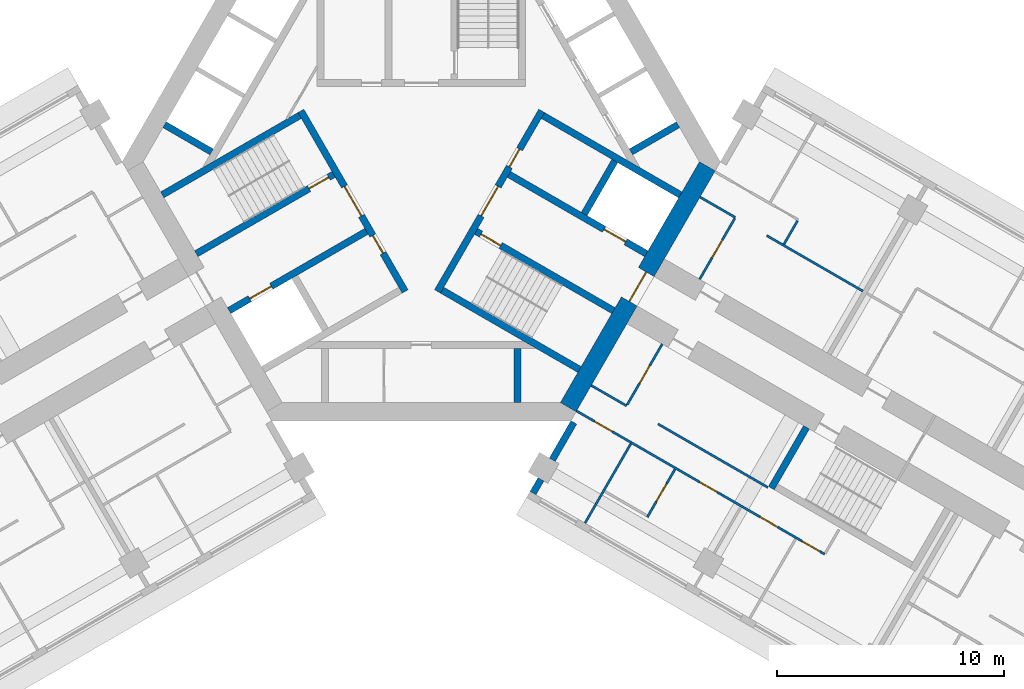
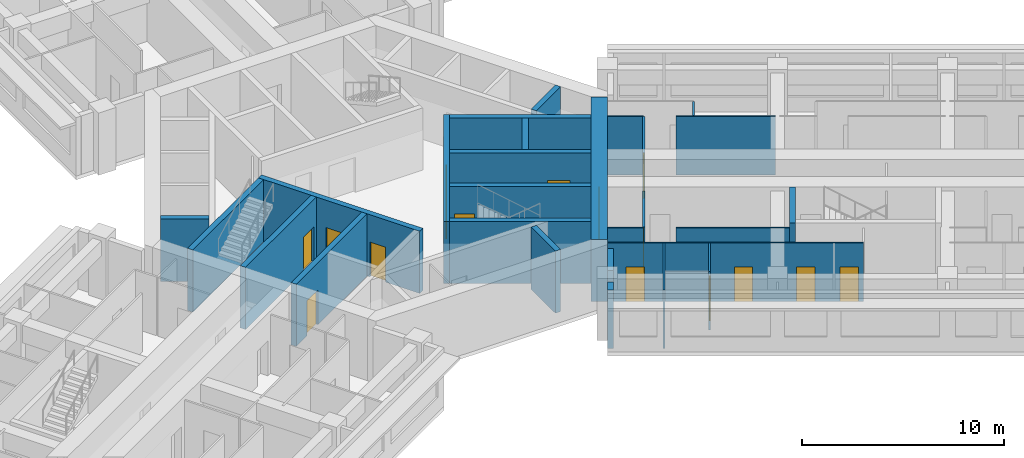
# One storey, part 7 of 14: 27 walls, 16 doors, 16 openings.
"""IFC4 building model written with IfcOpenShell, lengths in metres."""

from ifc_helpers import new_model, si_unit, direction, frame, frame_2d, origin, place, context, subcontext, project, spatial, rectangle, extrude, material, layer, layer_set, type_object, element, fill, save


model = new_model("IFC4")

# Units and contexts
model_context = context("Model", 3, precision=1e-05, world=origin(), true_north=direction((0.0, 1.0)))
body_context = subcontext(model_context, "Body", "Model", "MODEL_VIEW")
ifc_project = project(units=[si_unit("LENGTHUNIT", "METRE"), si_unit("AREAUNIT", "SQUARE_METRE"), si_unit("VOLUMEUNIT", "CUBIC_METRE"), si_unit("PLANEANGLEUNIT", "RADIAN"), si_unit("MASSUNIT", "GRAM", prefix="KILO")], contexts=[model_context])

# Site, building, storey
site_placement = place(None, origin())
site = spatial("IfcSite", under=ifc_project, at=site_placement, CompositionType="ELEMENT")
building_placement = place(site_placement, origin())
building = spatial("IfcBuilding", under=site, at=building_placement, Name="Impinga Residences", CompositionType="ELEMENT")
storey_placement = place(building_placement, frame((0.0, 0.0, 128.5)))
storey = spatial("IfcBuildingStorey", under=building, at=storey_placement, Name="L31", CompositionType="ELEMENT", Elevation=128.5)

# Walls
ifc_material_1 = material(Name="Terracotta rainscreen on blockwork", Category="masonry")
ifc_layer_1 = layer(ifc_material_1, 0.300048828125)
ifc_layer_set_1 = layer_set([ifc_layer_1], Name="EW1 external wall, terracotta rainscreen on blockwork 300")
wall_type_1 = type_object("IfcWallType", Name="EW1 external wall, terracotta rainscreen on blockwork 300", PredefinedType="SOLIDWALL", material=ifc_layer_set_1)
wall_1_placement = place(storey_placement, frame((4.929931640625, -14.624267578125, 0.0), z_axis=(0.0, 0.0, 1.0), x_axis=(0.499853302173, 0.866110083249, 0.0)))
element("IfcWall", 1, at=wall_1_placement, inside=storey, type_object=wall_type_1, Name="External wall EW1 L31", PredefinedType="SOLIDWALL", context=body_context, shape_type="SweptSolid", body=[
    extrude(rectangle(XDim=0.699951171875, YDim=0.300048828125, at=frame_2d((0.35009765625, 0.0))), origin(), (0.0, 0.0, 1.0), 3.530029296875),
])
wall_2_placement = place(storey_placement, frame((5.77978515625, -13.152099609375, 0.0), z_axis=(0.0, 0.0, 1.0), x_axis=(0.500063520245, 0.865988727248, 0.0)))
element("IfcWall", 2, at=wall_2_placement, inside=storey, type_object=wall_type_1, Name="External wall EW1 L31", PredefinedType="SOLIDWALL", context=body_context, shape_type="SweptSolid", body=[
    extrude(rectangle(XDim=1.900146484375, YDim=0.300048828125, at=frame_2d((0.9501953125, 0.0))), origin(), (0.0, 0.0, 1.0), 3.530029296875),
])
ifc_material_2 = material(Name="Gypsum board on steel studs", Category="steel")
ifc_layer_2 = layer(ifc_material_2, 0.10009765625)
ifc_layer_set_2 = layer_set([ifc_layer_2], Name="Gypsum board on steel studs")
wall_type_2 = type_object("IfcWallType", Name="IP1 partition 100", PredefinedType="PARTITIONING", material=ifc_layer_set_2)
wall_3_placement = place(storey_placement, frame((12.300048828125, -1.558837890625, 0.0), z_axis=(0.0, 0.0, 1.0), x_axis=(0.866047807691, -0.499961193289, 0.0)))
element("IfcWall", 3, at=wall_3_placement, inside=storey, type_object=wall_type_2, Name="Partition L31-EA1:DIV0", PredefinedType="PARTITIONING", context=body_context, shape_type="SweptSolid", body=[
    extrude(rectangle(XDim=1.800048828125, YDim=0.10009765625, at=frame_2d((0.89990234375, 0.0))), origin(), (0.0, 0.0, 1.0), 3.530029296875),
])
wall_4_placement = place(storey_placement, frame((15.244384765625, -3.2587890625, 0.0), z_axis=(0.0, 0.0, 1.0), x_axis=(0.866036242063, -0.49998122708, 0.0)))
element("IfcWall", 4, at=wall_4_placement, inside=storey, type_object=wall_type_2, Name="Partition L31-EA1:DIV1", PredefinedType="PARTITIONING", context=body_context, shape_type="SweptSolid", body=[
    extrude(rectangle(XDim=4.900146484375, YDim=0.10009765625, at=frame_2d((2.4501953125, 0.0))), origin(), (0.0, 0.0, 1.0), 3.530029296875),
])
wall_5_placement = place(storey_placement, frame((16.005615234375, -3.640625, 0.0), z_axis=(0.0, 0.0, 1.0), x_axis=(0.500033551112, 0.866006032174, 0.0)))
element("IfcWall", 5, at=wall_5_placement, inside=storey, type_object=wall_type_2, Name="Partition L31-EA1:SE1", PredefinedType="PARTITIONING", context=body_context, shape_type="SweptSolid", body=[
    extrude(rectangle(XDim=1.2001953125, YDim=0.10009765625, at=frame_2d((0.60009765625, 0.0))), origin(), (0.0, 0.0, 1.0), 3.530029296875),
])

# Wall, opening, door
wall_6_placement = place(storey_placement, frame((12.283935546875, -5.186767578125, 0.0), z_axis=(0.0, 0.0, 1.0), x_axis=(0.499967891604, 0.866043940782, 0.0)))
wall_6 = element("IfcWall", 6, at=wall_6_placement, inside=storey, type_object=wall_type_2, Name="Partition L31-EA1:IB1", PredefinedType="PARTITIONING", context=body_context, shape_type="SweptSolid", body=[
    extrude(rectangle(XDim=3.099853515625, YDim=0.10009765625, at=frame_2d((1.5498046875, 0.0))), origin(), (0.0, 0.0, 1.0), 3.530029296875),
])
opening_1_placement = place(wall_6_placement, frame((1.10009765625, 0.0, 0.0)))
opening_1 = element("IfcOpeningElement", 7, at=opening_1_placement, cuts=wall_6, Name="Opening D2", PredefinedType="OPENING", context=body_context, shape_type="SweptSolid", body=[
    extrude(rectangle(XDim=0.89990234375, YDim=2.10009765625, at=frame_2d((0.449951171875, 1.050048828125))), frame((0.0, 0.06005859375, 0.0), z_axis=(0.0, -1.0, 0.0), x_axis=(1.0, 0.0, 0.0)), (0.0, 0.0, 1.0), 0.1201171875),
])
ifc_material_3 = material(Name="Timber door set", Category="wood")
door_type_1 = type_object("IfcDoorType", Name="D2 internal door 900x2100", OperationType="SINGLE_SWING_LEFT", PredefinedType="DOOR", material=ifc_material_3)
door_1_placement = place(opening_1_placement, origin())
door_1 = element("IfcDoor", 8, at=door_1_placement, inside=storey, type_object=door_type_1, Name="Apartment L31-EA1 bathroom door", OperationType="SINGLE_SWING_LEFT", OverallHeight=2.10009765625, OverallWidth=0.89990234375, PredefinedType="DOOR", context=body_context, shape_type="SweptSolid", body=[
    extrude(rectangle(XDim=0.89990234375, YDim=2.10009765625, at=frame_2d((0.449951171875, 1.050048828125))), frame((0.0, 0.02490234375, 0.0), z_axis=(0.0, -1.0, 0.0), x_axis=(1.0, 0.0, 0.0)), (0.0, 0.0, 1.0), 0.050048828125),
])
fill(opening_1, door_1)

# Walls
wall_7_placement = place(storey_placement, frame((7.5, -9.872802734375, 0.0), z_axis=(0.0, 0.0, 1.0), x_axis=(0.866047807691, -0.499961193289, 0.0)))
element("IfcWall", 9, at=wall_7_placement, inside=storey, type_object=wall_type_2, Name="Partition L31-EF1:DIV0", PredefinedType="PARTITIONING", context=body_context, shape_type="SweptSolid", body=[
    extrude(rectangle(XDim=1.800048828125, YDim=0.10009765625, at=frame_2d((0.89990234375, 0.0))), origin(), (0.0, 0.0, 1.0), 3.530029296875),
])
wall_8_placement = place(storey_placement, frame((10.444580078125, -11.57275390625, 0.0), z_axis=(0.0, 0.0, 1.0), x_axis=(0.866015695474, -0.500016814911, 0.0)))
element("IfcWall", 10, at=wall_8_placement, inside=storey, type_object=wall_type_2, Name="Partition L31-EF1:DIV1", PredefinedType="PARTITIONING", context=body_context, shape_type="SweptSolid", body=[
    extrude(rectangle(XDim=5.599853515625, YDim=0.10009765625, at=frame_2d((2.7998046875, 0.0))), origin(), (0.0, 0.0, 1.0), 3.530029296875),
])

# Wall, openings, doors
wall_9_placement = place(storey_placement, frame((6.85009765625, -10.99853515625, 0.0), z_axis=(0.0, 0.0, 1.0), x_axis=(0.866024244478, -0.500002007972, 0.0)))
wall_9 = element("IfcWall", 11, at=wall_9_placement, inside=storey, type_object=wall_type_2, Name="Partition L31-EF1:STRIP", PredefinedType="PARTITIONING", context=body_context, shape_type="SweptSolid", body=[
    extrude(rectangle(XDim=12.64990234375, YDim=0.10009765625, at=frame_2d((6.324951171875, 0.0))), origin(), (0.0, 0.0, 1.0), 3.530029296875),
])
opening_2_placement = place(wall_9_placement, frame((0.925048828125, 0.0, 0.0)))
opening_2 = element("IfcOpeningElement", 12, at=opening_2_placement, cuts=wall_9, Name="Opening D2", PredefinedType="OPENING", context=body_context, shape_type="SweptSolid", body=[
    extrude(rectangle(XDim=0.89990234375, YDim=2.10009765625, at=frame_2d((0.449951171875, 1.050048828125))), frame((0.0, 0.06005859375, 0.0), z_axis=(0.0, -1.0, 0.0), x_axis=(1.0, 0.0, 0.0)), (0.0, 0.0, 1.0), 0.1201171875),
])
opening_3_placement = place(wall_9_placement, frame((6.27490234375, 0.0, 0.0)))
opening_3 = element("IfcOpeningElement", 13, at=opening_3_placement, cuts=wall_9, Name="Opening D2", PredefinedType="OPENING", context=body_context, shape_type="SweptSolid", body=[
    extrude(rectangle(XDim=0.89990234375, YDim=2.10009765625, at=frame_2d((0.449951171875, 1.050048828125))), frame((0.0, 0.06005859375, 0.0), z_axis=(0.0, -1.0, 0.0), x_axis=(1.0, 0.0, 0.0)), (0.0, 0.0, 1.0), 0.1201171875),
])
opening_4_placement = place(wall_9_placement, frame((9.35009765625, 0.0, 0.0)))
opening_4 = element("IfcOpeningElement", 14, at=opening_4_placement, cuts=wall_9, Name="Opening D2", PredefinedType="OPENING", context=body_context, shape_type="SweptSolid", body=[
    extrude(rectangle(XDim=0.89990234375, YDim=2.10009765625, at=frame_2d((0.449951171875, 1.050048828125))), frame((0.0, 0.06005859375, 0.0), z_axis=(0.0, -1.0, 0.0), x_axis=(1.0, 0.0, 0.0)), (0.0, 0.0, 1.0), 0.1201171875),
])
opening_5_placement = place(wall_9_placement, frame((11.5, 0.0, 0.0)))
opening_5 = element("IfcOpeningElement", 15, at=opening_5_placement, cuts=wall_9, Name="Opening D2", PredefinedType="OPENING", context=body_context, shape_type="SweptSolid", body=[
    extrude(rectangle(XDim=0.89990234375, YDim=2.10009765625, at=frame_2d((0.449951171875, 1.050048828125))), frame((0.0, 0.06005859375, 0.0), z_axis=(0.0, -1.0, 0.0), x_axis=(1.0, 0.0, 0.0)), (0.0, 0.0, 1.0), 0.1201171875),
])
door_2_placement = place(opening_2_placement, origin())
door_2 = element("IfcDoor", 16, at=door_2_placement, inside=storey, type_object=door_type_1, Name="Apartment L31-EF1 room door", OperationType="SINGLE_SWING_LEFT", OverallHeight=2.10009765625, OverallWidth=0.89990234375, PredefinedType="DOOR", context=body_context, shape_type="SweptSolid", body=[
    extrude(rectangle(XDim=0.89990234375, YDim=2.10009765625, at=frame_2d((0.449951171875, 1.050048828125))), frame((0.0, 0.02490234375, 0.0), z_axis=(0.0, -1.0, 0.0), x_axis=(1.0, 0.0, 0.0)), (0.0, 0.0, 1.0), 0.050048828125),
])
fill(opening_2, door_2)
door_3_placement = place(opening_3_placement, origin())
door_3 = element("IfcDoor", 17, at=door_3_placement, inside=storey, type_object=door_type_1, Name="Apartment L31-EF1 room door", OperationType="SINGLE_SWING_RIGHT", OverallHeight=2.10009765625, OverallWidth=0.89990234375, PredefinedType="DOOR", context=body_context, shape_type="SweptSolid", body=[
    extrude(rectangle(XDim=0.89990234375, YDim=2.10009765625, at=frame_2d((0.449951171875, 1.050048828125))), frame((0.0, 0.02490234375, 0.0), z_axis=(0.0, -1.0, 0.0), x_axis=(1.0, 0.0, 0.0)), (0.0, 0.0, 1.0), 0.050048828125),
])
fill(opening_3, door_3)
door_4_placement = place(opening_4_placement, origin())
door_4 = element("IfcDoor", 18, at=door_4_placement, inside=storey, type_object=door_type_1, Name="Apartment L31-EF1 room door", OperationType="SINGLE_SWING_RIGHT", OverallHeight=2.10009765625, OverallWidth=0.89990234375, PredefinedType="DOOR", context=body_context, shape_type="SweptSolid", body=[
    extrude(rectangle(XDim=0.89990234375, YDim=2.10009765625, at=frame_2d((0.449951171875, 1.050048828125))), frame((0.0, 0.02490234375, 0.0), z_axis=(0.0, -1.0, 0.0), x_axis=(1.0, 0.0, 0.0)), (0.0, 0.0, 1.0), 0.050048828125),
])
fill(opening_4, door_4)
door_5_placement = place(opening_5_placement, origin())
door_5 = element("IfcDoor", 19, at=door_5_placement, inside=storey, type_object=door_type_1, Name="Apartment L31-EF1 room door", OperationType="SINGLE_SWING_RIGHT", OverallHeight=2.10009765625, OverallWidth=0.89990234375, PredefinedType="DOOR", context=body_context, shape_type="SweptSolid", body=[
    extrude(rectangle(XDim=0.89990234375, YDim=2.10009765625, at=frame_2d((0.449951171875, 1.050048828125))), frame((0.0, 0.02490234375, 0.0), z_axis=(0.0, -1.0, 0.0), x_axis=(1.0, 0.0, 0.0)), (0.0, 0.0, 1.0), 0.050048828125),
])
fill(opening_5, door_5)

# Wall, opening, door
wall_10_placement = place(storey_placement, frame((10.6337890625, -8.044677734375, 0.0), z_axis=(0.0, 0.0, 1.0), x_axis=(-0.49999285859, -0.86602952684, 0.0)))
wall_10 = element("IfcWall", 20, at=wall_10_placement, inside=storey, type_object=wall_type_2, Name="Partition L31-EF1:IB1", PredefinedType="PARTITIONING", context=body_context, shape_type="SweptSolid", body=[
    extrude(rectangle(XDim=3.10009765625, YDim=0.10009765625, at=frame_2d((1.550048828125, 0.0))), origin(), (0.0, 0.0, 1.0), 3.530029296875),
])
opening_6_placement = place(wall_10_placement, frame((1.10009765625, 0.0, 0.0)))
opening_6 = element("IfcOpeningElement", 21, at=opening_6_placement, cuts=wall_10, Name="Opening D2", PredefinedType="OPENING", context=body_context, shape_type="SweptSolid", body=[
    extrude(rectangle(XDim=0.89990234375, YDim=2.10009765625, at=frame_2d((0.449951171875, 1.050048828125))), frame((0.0, 0.06005859375, 0.0), z_axis=(0.0, -1.0, 0.0), x_axis=(1.0, 0.0, 0.0)), (0.0, 0.0, 1.0), 0.1201171875),
])
door_6_placement = place(opening_6_placement, origin())
door_6 = element("IfcDoor", 22, at=door_6_placement, inside=storey, type_object=door_type_1, Name="Apartment L31-EF1 bathroom door", OperationType="SINGLE_SWING_LEFT", OverallHeight=2.10009765625, OverallWidth=0.89990234375, PredefinedType="DOOR", context=body_context, shape_type="SweptSolid", body=[
    extrude(rectangle(XDim=0.89990234375, YDim=2.10009765625, at=frame_2d((0.449951171875, 1.050048828125))), frame((0.0, 0.02490234375, 0.0), z_axis=(0.0, -1.0, 0.0), x_axis=(1.0, 0.0, 0.0)), (0.0, 0.0, 1.0), 0.050048828125),
])
fill(opening_6, door_6)

# Wall
wall_11_placement = place(storey_placement, frame((9.249755859375, -12.44189453125, 0.0), z_axis=(0.0, 0.0, 1.0), x_axis=(-0.499990325971, -0.866030989016, 0.0)))
element("IfcWall", 23, at=wall_11_placement, inside=storey, type_object=wall_type_2, Name="Partition L31-EF1:OB1", PredefinedType="PARTITIONING", context=body_context, shape_type="SweptSolid", body=[
    extrude(rectangle(XDim=4.0498046875, YDim=0.10009765625, at=frame_2d((2.02490234375, 0.0))), origin(), (0.0, 0.0, 1.0), 3.530029296875),
])

# Wall, opening, door
wall_12_placement = place(storey_placement, frame((11.198486328125, -13.56689453125, 0.0), z_axis=(0.0, 0.0, 1.0), x_axis=(-0.500061746146, -0.865989751695, 0.0)))
wall_12 = element("IfcWall", 24, at=wall_12_placement, inside=storey, type_object=wall_type_2, Name="Partition L31-EF1:EN1", PredefinedType="PARTITIONING", context=body_context, shape_type="SweptSolid", body=[
    extrude(rectangle(XDim=2.449951171875, YDim=0.10009765625, at=frame_2d((1.22509765625, 0.0))), origin(), (0.0, 0.0, 1.0), 3.530029296875),
])
opening_7_placement = place(wall_12_placement, frame((0.75, 0.0, 0.0)))
opening_7 = element("IfcOpeningElement", 25, at=opening_7_placement, cuts=wall_12, Name="Opening D2", PredefinedType="OPENING", context=body_context, shape_type="SweptSolid", body=[
    extrude(rectangle(XDim=0.89990234375, YDim=2.10009765625, at=frame_2d((0.449951171875, 1.050048828125))), frame((0.0, 0.06005859375, 0.0), z_axis=(0.0, -1.0, 0.0), x_axis=(1.0, 0.0, 0.0)), (0.0, 0.0, 1.0), 0.1201171875),
])
door_7_placement = place(opening_7_placement, origin())
door_7 = element("IfcDoor", 26, at=door_7_placement, inside=storey, type_object=door_type_1, Name="Apartment L31-EF1 en-suite door", OperationType="SINGLE_SWING_LEFT", OverallHeight=2.10009765625, OverallWidth=0.89990234375, PredefinedType="DOOR", context=body_context, shape_type="SweptSolid", body=[
    extrude(rectangle(XDim=0.89990234375, YDim=2.10009765625, at=frame_2d((0.449951171875, 1.050048828125))), frame((0.0, 0.02490234375, 0.0), z_axis=(0.0, -1.0, 0.0), x_axis=(1.0, 0.0, 0.0)), (0.0, 0.0, 1.0), 0.050048828125),
])
fill(opening_7, door_7)

# Wall
ifc_material_4 = material(Name="Concrete C60/75", Category="concrete")
ifc_layer_3 = layer(ifc_material_4, 0.300048828125)
ifc_layer_set_3 = layer_set([ifc_layer_3], Name="Concrete C60/75")
wall_type_3 = type_object("IfcWallType", Name="SE1 wing stair enclosure wall 300", PredefinedType="SOLIDWALL", material=ifc_layer_set_3)
wall_13_placement = place(storey_placement, frame((16.9990234375, -11.7197265625, 0.0), z_axis=(0.0, 0.0, 1.0), x_axis=(-0.499967891604, -0.866043940782, 0.0)))
element("IfcWall", 27, at=wall_13_placement, inside=storey, type_object=wall_type_3, Name="Stair enclosure wall SE1 E END0 L31", PredefinedType="SOLIDWALL", context=body_context, shape_type="SweptSolid", body=[
    extrude(rectangle(XDim=3.099853515625, YDim=0.300048828125, at=frame_2d((1.5498046875, 0.0))), origin(), (0.0, 0.0, 1.0), 3.75),
])

# Wall, opening, door
ifc_layer_4 = layer(ifc_material_4, 0.800048828125)
ifc_layer_set_4 = layer_set([ifc_layer_4], Name="Concrete C60/75")
wall_type_4 = type_object("IfcWallType", Name="SW2 core wall 800", PredefinedType="SHEAR", material=ifc_layer_set_4)
wall_14_placement = place(storey_placement, frame((12.62255859375, -0.199951171875, 0.0), z_axis=(0.0, 0.0, 1.0), x_axis=(-0.499986991068, -0.866032914365, 0.0)))
wall_14 = element("IfcWall", 28, at=wall_14_placement, inside=storey, type_object=wall_type_4, Name="Core wall SW2 E:FACE L31", PredefinedType="SHEAR", context=body_context, shape_type="SweptSolid", body=[
    extrude(rectangle(XDim=12.276123046875, YDim=0.800048828125, at=frame_2d((6.13818359375, 0.0))), origin(), (0.0, 0.0, 1.0), 3.75),
])
opening_8_placement = place(wall_14_placement, frame((5.38818359375, 0.0, 0.0)))
opening_8 = element("IfcOpeningElement", 29, at=opening_8_placement, cuts=wall_14, Name="Opening D4", PredefinedType="OPENING", context=body_context, shape_type="SweptSolid", body=[
    extrude(rectangle(XDim=1.5, YDim=2.10009765625, at=frame_2d((0.75, 1.050048828125))), frame((0.0, 0.409912109375, 0.0), z_axis=(0.0, -1.0, 0.0), x_axis=(1.0, 0.0, 0.0)), (0.0, 0.0, 1.0), 0.820068359375),
])
door_type_2 = type_object("IfcDoorType", Name="D4 lobby door pair 1500x2100", OperationType="DOUBLE_DOOR_DOUBLE_SWING", PredefinedType="DOOR", material=ifc_material_3)
door_8_placement = place(opening_8_placement, origin())
door_8 = element("IfcDoor", 30, at=door_8_placement, inside=storey, type_object=door_type_2, Name="Lobby door E", OperationType="DOUBLE_DOOR_DOUBLE_SWING", OverallHeight=2.10009765625, OverallWidth=1.5, PredefinedType="DOOR", context=body_context, shape_type="SweptSolid", body=[
    extrude(rectangle(XDim=1.5, YDim=2.10009765625, at=frame_2d((0.75, 1.050048828125))), frame((0.0, 0.02490234375, 0.0), z_axis=(0.0, -1.0, 0.0), x_axis=(1.0, 0.0, 0.0)), (0.0, 0.0, 1.0), 0.050048828125),
])
fill(opening_8, door_8)

# Wall, openings, doors
ifc_material_5 = material(Name="Concrete C70/85", Category="concrete")
ifc_layer_5 = layer(ifc_material_5, 0.300048828125)
ifc_layer_set_5 = layer_set([ifc_layer_5], Name="Concrete C70/85")
wall_type_5 = type_object("IfcWallType", Name="SW5 core inner wall, stairs, shafts and lobbies 300", PredefinedType="SHEAR", material=ifc_layer_set_5)
wall_15_placement = place(storey_placement, frame((-0.7138671875, -5.7236328125, 0.0), z_axis=(0.0, 0.0, 1.0), x_axis=(-0.499995050369, 0.866028261437, 0.0)))
wall_15 = element("IfcWall", 31, at=wall_15_placement, inside=storey, type_object=wall_type_5, Name="Core wall SW5 W:ZONE L31", PredefinedType="SHEAR", context=body_context, shape_type="SweptSolid", body=[
    extrude(rectangle(XDim=9.19970703125, YDim=0.300048828125, at=frame_2d((4.599853515625, 0.0))), origin(), (0.0, 0.0, 1.0), 3.75),
])
opening_9_placement = place(wall_15_placement, frame((3.85009765625, 0.0, 0.0)))
opening_9 = element("IfcOpeningElement", 32, at=opening_9_placement, cuts=wall_15, Name="Opening D4", PredefinedType="OPENING", context=body_context, shape_type="SweptSolid", body=[
    extrude(rectangle(XDim=1.5, YDim=2.10009765625, at=frame_2d((0.75, 1.050048828125))), frame((0.0, 0.159912109375, 0.0), z_axis=(0.0, -1.0, 0.0), x_axis=(1.0, 0.0, 0.0)), (0.0, 0.0, 1.0), 0.320068359375),
])
opening_10_placement = place(wall_15_placement, frame((1.949951171875, 0.0, 0.0)))
opening_10 = element("IfcOpeningElement", 33, at=opening_10_placement, cuts=wall_15, Name="Opening D6", PredefinedType="OPENING", context=body_context, shape_type="SweptSolid", body=[
    extrude(rectangle(XDim=0.89990234375, YDim=2.10009765625, at=frame_2d((0.449951171875, 1.050048828125))), frame((0.0, 0.159912109375, 0.0), z_axis=(0.0, -1.0, 0.0), x_axis=(1.0, 0.0, 0.0)), (0.0, 0.0, 1.0), 0.320068359375),
])
door_9_placement = place(opening_9_placement, origin())
door_9 = element("IfcDoor", 34, at=door_9_placement, inside=storey, type_object=door_type_2, Name="Firefighting lobby door W", OperationType="DOUBLE_DOOR_DOUBLE_SWING", OverallHeight=2.10009765625, OverallWidth=1.5, PredefinedType="DOOR", context=body_context, shape_type="SweptSolid", body=[
    extrude(rectangle(XDim=1.5, YDim=2.10009765625, at=frame_2d((0.75, 1.050048828125))), frame((0.0, 0.02490234375, 0.0), z_axis=(0.0, -1.0, 0.0), x_axis=(1.0, 0.0, 0.0)), (0.0, 0.0, 1.0), 0.050048828125),
])
fill(opening_9, door_9)
door_type_3 = type_object("IfcDoorType", Name="D6 riser and store door 900x2100", OperationType="SINGLE_SWING_LEFT", PredefinedType="DOOR", material=ifc_material_3)
door_10_placement = place(opening_10_placement, origin())
door_10 = element("IfcDoor", 35, at=door_10_placement, inside=storey, type_object=door_type_3, Name="Riser door W", OperationType="SINGLE_SWING_LEFT", OverallHeight=2.10009765625, OverallWidth=0.89990234375, PredefinedType="DOOR", context=body_context, shape_type="SweptSolid", body=[
    extrude(rectangle(XDim=0.89990234375, YDim=2.10009765625, at=frame_2d((0.449951171875, 1.050048828125))), frame((0.0, 0.02490234375, 0.0), z_axis=(0.0, -1.0, 0.0), x_axis=(1.0, 0.0, 0.0)), (0.0, 0.0, 1.0), 0.050048828125),
])
fill(opening_10, door_10)

# Wall, opening, door
wall_16_placement = place(storey_placement, frame((-3.86865234375, -0.559326171875, 0.0), z_axis=(0.0, 0.0, 1.0), x_axis=(-0.866026480128, -0.499998135713, 0.0)))
wall_16 = element("IfcWall", 36, at=wall_16_placement, inside=storey, type_object=wall_type_5, Name="Core wall SW5 W:ST-IN L31", PredefinedType="SHEAR", context=body_context, shape_type="SweptSolid", body=[
    extrude(rectangle(XDim=7.00146484375, YDim=0.300048828125, at=frame_2d((3.500732421875, 0.0))), origin(), (0.0, 0.0, 1.0), 3.75),
])
opening_11_placement = place(wall_16_placement, frame((0.25, 0.0, 0.0)))
opening_11 = element("IfcOpeningElement", 37, at=opening_11_placement, cuts=wall_16, Name="Opening D5", PredefinedType="OPENING", context=body_context, shape_type="SweptSolid", body=[
    extrude(rectangle(XDim=1.0, YDim=2.10009765625, at=frame_2d((0.5, 1.050048828125))), frame((0.0, 0.159912109375, 0.0), z_axis=(0.0, -1.0, 0.0), x_axis=(1.0, 0.0, 0.0)), (0.0, 0.0, 1.0), 0.320068359375),
])
door_type_4 = type_object("IfcDoorType", Name="D5 stair door 1000x2100", OperationType="SINGLE_SWING_LEFT", PredefinedType="DOOR", material=ifc_material_3)
door_11_placement = place(opening_11_placement, origin())
door_11 = element("IfcDoor", 38, at=door_11_placement, inside=storey, type_object=door_type_4, Name="Stair door W", OperationType="SINGLE_SWING_LEFT", OverallHeight=2.10009765625, OverallWidth=1.0, PredefinedType="DOOR", context=body_context, shape_type="SweptSolid", body=[
    extrude(rectangle(XDim=1.0, YDim=2.10009765625, at=frame_2d((0.5, 1.050048828125))), frame((0.0, 0.02490234375, 0.0), z_axis=(0.0, -1.0, 0.0), x_axis=(1.0, 0.0, 0.0)), (0.0, 0.0, 1.0), 0.050048828125),
])
fill(opening_11, door_11)

# Wall
wall_17_placement = place(storey_placement, frame((-5.36865234375, 2.038818359375, 0.0), z_axis=(0.0, 0.0, 1.0), x_axis=(-0.866026480128, -0.499998135713, 0.0)))
element("IfcWall", 39, at=wall_17_placement, inside=storey, type_object=wall_type_5, Name="Core wall SW5 W:ST-OUT L31", PredefinedType="SHEAR", context=body_context, shape_type="SweptSolid", body=[
    extrude(rectangle(XDim=7.00146484375, YDim=0.300048828125, at=frame_2d((3.500732421875, 0.0))), origin(), (0.0, 0.0, 1.0), 3.75),
])

# Wall, opening, door
wall_18_placement = place(storey_placement, frame((-2.418701171875, -3.07080078125, 0.0), z_axis=(0.0, 0.0, 1.0), x_axis=(-0.866026480128, -0.499998135713, 0.0)))
wall_18 = element("IfcWall", 40, at=wall_18_placement, inside=storey, type_object=wall_type_5, Name="Core wall SW5 W:FF-IN L31", PredefinedType="SHEAR", context=body_context, shape_type="SweptSolid", body=[
    extrude(rectangle(XDim=7.00146484375, YDim=0.300048828125, at=frame_2d((3.500732421875, 0.0))), origin(), (0.0, 0.0, 1.0), 3.75),
])
opening_12_placement = place(wall_18_placement, frame((4.85009765625, 0.0, 0.0)))
opening_12 = element("IfcOpeningElement", 41, at=opening_12_placement, cuts=wall_18, Name="Opening LD2", PredefinedType="OPENING", context=body_context, shape_type="SweptSolid", body=[
    extrude(rectangle(XDim=1.10009765625, YDim=2.10009765625, at=frame_2d((0.550048828125, 1.050048828125))), frame((0.0, 0.159912109375, 0.0), z_axis=(0.0, -1.0, 0.0), x_axis=(1.0, 0.0, 0.0)), (0.0, 0.0, 1.0), 0.320068359375),
])
ifc_material_6 = material(Name="Steel lift landing door", Category="steel")
door_type_5 = type_object("IfcDoorType", Name="LD2 firefighting lift landing door 1100x2100", OperationType="DOUBLE_DOOR_SLIDING", PredefinedType="DOOR", material=ifc_material_6)
door_12_placement = place(opening_12_placement, origin())
door_12 = element("IfcDoor", 42, at=door_12_placement, inside=storey, type_object=door_type_5, Name="Firefighting lift landing door F2", OperationType="DOUBLE_DOOR_SLIDING", OverallHeight=2.10009765625, OverallWidth=1.10009765625, PredefinedType="DOOR", context=body_context, shape_type="SweptSolid", body=[
    extrude(rectangle(XDim=1.10009765625, YDim=2.10009765625, at=frame_2d((0.550048828125, 1.050048828125))), frame((0.0, 0.02490234375, 0.0), z_axis=(0.0, -1.0, 0.0), x_axis=(1.0, 0.0, 0.0)), (0.0, 0.0, 1.0), 0.050048828125),
])
fill(opening_12, door_12)

# Wall, openings, doors
wall_19_placement = place(storey_placement, frame((5.313720703125, 2.24365234375, 0.0), z_axis=(0.0, 0.0, 1.0), x_axis=(-0.499995050369, -0.866028261437, 0.0)))
wall_19 = element("IfcWall", 43, at=wall_19_placement, inside=storey, type_object=wall_type_5, Name="Core wall SW5 E:ZONE L31", PredefinedType="SHEAR", context=body_context, shape_type="SweptSolid", body=[
    extrude(rectangle(XDim=9.19970703125, YDim=0.300048828125, at=frame_2d((4.599853515625, 0.0))), origin(), (0.0, 0.0, 1.0), 3.75),
])
opening_13_placement = place(wall_19_placement, frame((3.85009765625, 0.0, 0.0)))
opening_13 = element("IfcOpeningElement", 44, at=opening_13_placement, cuts=wall_19, Name="Opening D4", PredefinedType="OPENING", context=body_context, shape_type="SweptSolid", body=[
    extrude(rectangle(XDim=1.5, YDim=2.10009765625, at=frame_2d((0.75, 1.050048828125))), frame((0.0, 0.159912109375, 0.0), z_axis=(0.0, -1.0, 0.0), x_axis=(1.0, 0.0, 0.0)), (0.0, 0.0, 1.0), 0.320068359375),
])
opening_14_placement = place(wall_19_placement, frame((1.949951171875, 0.0, 0.0)))
opening_14 = element("IfcOpeningElement", 45, at=opening_14_placement, cuts=wall_19, Name="Opening D6", PredefinedType="OPENING", context=body_context, shape_type="SweptSolid", body=[
    extrude(rectangle(XDim=0.89990234375, YDim=2.10009765625, at=frame_2d((0.449951171875, 1.050048828125))), frame((0.0, 0.159912109375, 0.0), z_axis=(0.0, -1.0, 0.0), x_axis=(1.0, 0.0, 0.0)), (0.0, 0.0, 1.0), 0.320068359375),
])
door_13_placement = place(opening_13_placement, origin())
door_13 = element("IfcDoor", 46, at=door_13_placement, inside=storey, type_object=door_type_2, Name="Firefighting lobby door E", OperationType="DOUBLE_DOOR_DOUBLE_SWING", OverallHeight=2.10009765625, OverallWidth=1.5, PredefinedType="DOOR", context=body_context, shape_type="SweptSolid", body=[
    extrude(rectangle(XDim=1.5, YDim=2.10009765625, at=frame_2d((0.75, 1.050048828125))), frame((0.0, 0.02490234375, 0.0), z_axis=(0.0, -1.0, 0.0), x_axis=(1.0, 0.0, 0.0)), (0.0, 0.0, 1.0), 0.050048828125),
])
fill(opening_13, door_13)
door_14_placement = place(opening_14_placement, origin())
door_14 = element("IfcDoor", 47, at=door_14_placement, inside=storey, type_object=door_type_3, Name="Riser door E", OperationType="SINGLE_SWING_LEFT", OverallHeight=2.10009765625, OverallWidth=0.89990234375, PredefinedType="DOOR", context=body_context, shape_type="SweptSolid", body=[
    extrude(rectangle(XDim=0.89990234375, YDim=2.10009765625, at=frame_2d((0.449951171875, 1.050048828125))), frame((0.0, 0.02490234375, 0.0), z_axis=(0.0, -1.0, 0.0), x_axis=(1.0, 0.0, 0.0)), (0.0, 0.0, 1.0), 0.050048828125),
])
fill(opening_14, door_14)

# Wall, opening, door
wall_20_placement = place(storey_placement, frame((2.418701171875, -3.07080078125, 0.0), z_axis=(0.0, 0.0, 1.0), x_axis=(0.866026480128, -0.499998135713, 0.0)))
wall_20 = element("IfcWall", 48, at=wall_20_placement, inside=storey, type_object=wall_type_5, Name="Core wall SW5 E:ST-IN L31", PredefinedType="SHEAR", context=body_context, shape_type="SweptSolid", body=[
    extrude(rectangle(XDim=7.00146484375, YDim=0.300048828125, at=frame_2d((3.500732421875, 0.0))), origin(), (0.0, 0.0, 1.0), 3.75),
])
opening_15_placement = place(wall_20_placement, frame((0.25, 0.0, 0.0)))
opening_15 = element("IfcOpeningElement", 49, at=opening_15_placement, cuts=wall_20, Name="Opening D5", PredefinedType="OPENING", context=body_context, shape_type="SweptSolid", body=[
    extrude(rectangle(XDim=1.0, YDim=2.10009765625, at=frame_2d((0.5, 1.050048828125))), frame((0.0, 0.159912109375, 0.0), z_axis=(0.0, -1.0, 0.0), x_axis=(1.0, 0.0, 0.0)), (0.0, 0.0, 1.0), 0.320068359375),
])
door_15_placement = place(opening_15_placement, origin())
door_15 = element("IfcDoor", 50, at=door_15_placement, inside=storey, type_object=door_type_4, Name="Stair door E", OperationType="SINGLE_SWING_LEFT", OverallHeight=2.10009765625, OverallWidth=1.0, PredefinedType="DOOR", context=body_context, shape_type="SweptSolid", body=[
    extrude(rectangle(XDim=1.0, YDim=2.10009765625, at=frame_2d((0.5, 1.050048828125))), frame((0.0, 0.02490234375, 0.0), z_axis=(0.0, -1.0, 0.0), x_axis=(1.0, 0.0, 0.0)), (0.0, 0.0, 1.0), 0.050048828125),
])
fill(opening_15, door_15)

# Wall
wall_21_placement = place(storey_placement, frame((0.918701171875, -5.668701171875, 0.0), z_axis=(0.0, 0.0, 1.0), x_axis=(0.866011380966, -0.500024287448, 0.0)))
element("IfcWall", 51, at=wall_21_placement, inside=storey, type_object=wall_type_5, Name="Core wall SW5 E:ST-OUT L31", PredefinedType="SHEAR", context=body_context, shape_type="SweptSolid", body=[
    extrude(rectangle(XDim=7.001708984375, YDim=0.300048828125, at=frame_2d((3.5009765625, 0.0))), origin(), (0.0, 0.0, 1.0), 3.75),
])

# Wall, opening, door
wall_22_placement = place(storey_placement, frame((3.86865234375, -0.559326171875, 0.0), z_axis=(0.0, 0.0, 1.0), x_axis=(0.866026480128, -0.499998135713, 0.0)))
wall_22 = element("IfcWall", 52, at=wall_22_placement, inside=storey, type_object=wall_type_5, Name="Core wall SW5 E:FF-IN L31", PredefinedType="SHEAR", context=body_context, shape_type="SweptSolid", body=[
    extrude(rectangle(XDim=7.00146484375, YDim=0.300048828125, at=frame_2d((3.500732421875, 0.0))), origin(), (0.0, 0.0, 1.0), 3.75),
])
opening_16_placement = place(wall_22_placement, frame((4.85009765625, 0.0, 0.0)))
opening_16 = element("IfcOpeningElement", 53, at=opening_16_placement, cuts=wall_22, Name="Opening LD2", PredefinedType="OPENING", context=body_context, shape_type="SweptSolid", body=[
    extrude(rectangle(XDim=1.10009765625, YDim=2.10009765625, at=frame_2d((0.550048828125, 1.050048828125))), frame((0.0, 0.159912109375, 0.0), z_axis=(0.0, -1.0, 0.0), x_axis=(1.0, 0.0, 0.0)), (0.0, 0.0, 1.0), 0.320068359375),
])
door_16_placement = place(opening_16_placement, origin())
door_16 = element("IfcDoor", 54, at=door_16_placement, inside=storey, type_object=door_type_5, Name="Firefighting lift landing door F3", OperationType="DOUBLE_DOOR_SLIDING", OverallHeight=2.10009765625, OverallWidth=1.10009765625, PredefinedType="DOOR", context=body_context, shape_type="SweptSolid", body=[
    extrude(rectangle(XDim=1.10009765625, YDim=2.10009765625, at=frame_2d((0.550048828125, 1.050048828125))), frame((0.0, 0.02490234375, 0.0), z_axis=(0.0, -1.0, 0.0), x_axis=(1.0, 0.0, 0.0)), (0.0, 0.0, 1.0), 0.050048828125),
])
fill(opening_16, door_16)

# Walls
wall_23_placement = place(storey_placement, frame((5.36865234375, 2.038818359375, 0.0), z_axis=(0.0, 0.0, 1.0), x_axis=(0.866026480128, -0.499998135713, 0.0)))
element("IfcWall", 55, at=wall_23_placement, inside=storey, type_object=wall_type_5, Name="Core wall SW5 E:FF-OUT L31", PredefinedType="SHEAR", context=body_context, shape_type="SweptSolid", body=[
    extrude(rectangle(XDim=7.00146484375, YDim=0.300048828125, at=frame_2d((3.500732421875, 0.0))), origin(), (0.0, 0.0, 1.0), 3.75),
])
wall_24_placement = place(storey_placement, frame((8.541259765625, 0.033935546875, 0.0), z_axis=(0.0, 0.0, 1.0), x_axis=(-0.50000943426, -0.866019956843, 0.0)))
element("IfcWall", 56, at=wall_24_placement, inside=storey, type_object=wall_type_5, Name="Core wall SW5 E:FF-RS L31", PredefinedType="SHEAR", context=body_context, shape_type="SweptSolid", body=[
    extrude(rectangle(XDim=2.7001953125, YDim=0.300048828125, at=frame_2d((1.35009765625, 0.0))), origin(), (0.0, 0.0, 1.0), 3.75),
])
for number, where, z_axis, x_axis, name in (
    (57, (4.25, -8.2314453125, 0.0), (0.0, 0.0, 1.0), (0.0, -1.0, 0.0), "Core wall SW5 N:BANK-L L31"),
    (58, (9.253662109375, 0.43505859375, 0.0), (0.0, 0.0, 1.0), (0.866006032174, 0.500033551112, 0.0), "Core wall SW5 W:BANK-R L31"),
    (59, (-9.253662109375, 0.43505859375, 0.0), (0.0, 0.0, 1.0), (-0.866006032174, 0.500033551112, 0.0), "Core wall SW5 E:BANK-L L31"),
):
    element("IfcWall", number, at=place(storey_placement, frame(where, z_axis=z_axis, x_axis=x_axis)), inside=storey, type_object=wall_type_5, Name=name, PredefinedType="SHEAR", context=body_context, shape_type="SweptSolid", body=[
        extrude(rectangle(XDim=2.400146484375, YDim=0.300048828125, at=frame_2d((1.2001953125, 0.0))), origin(), (0.0, 0.0, 1.0), 3.75),
    ])

save(model, "model.ifc")
